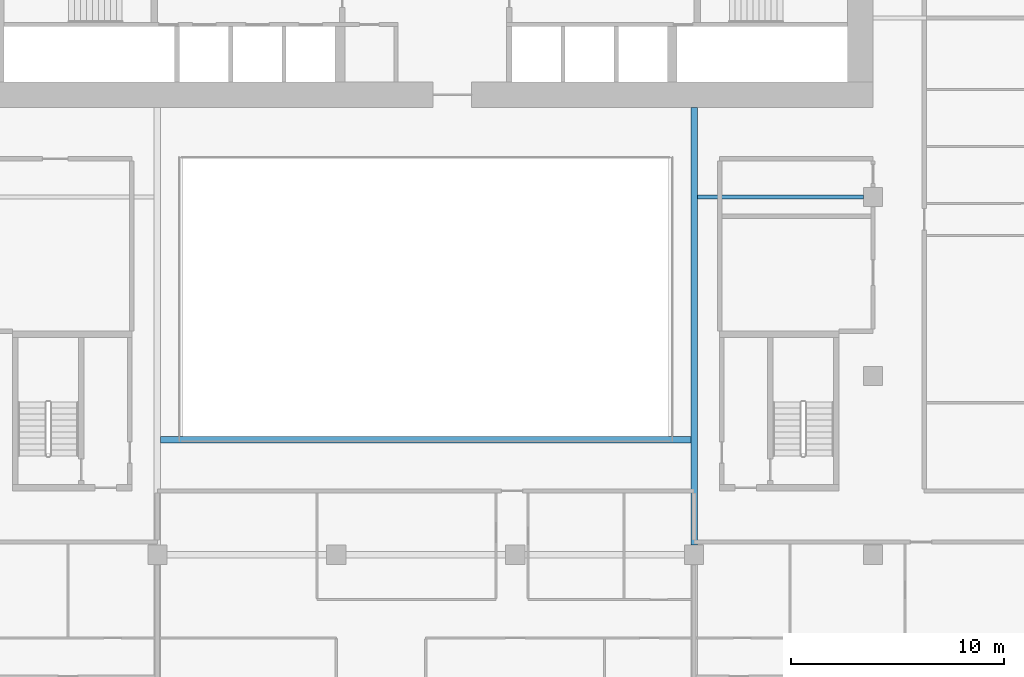
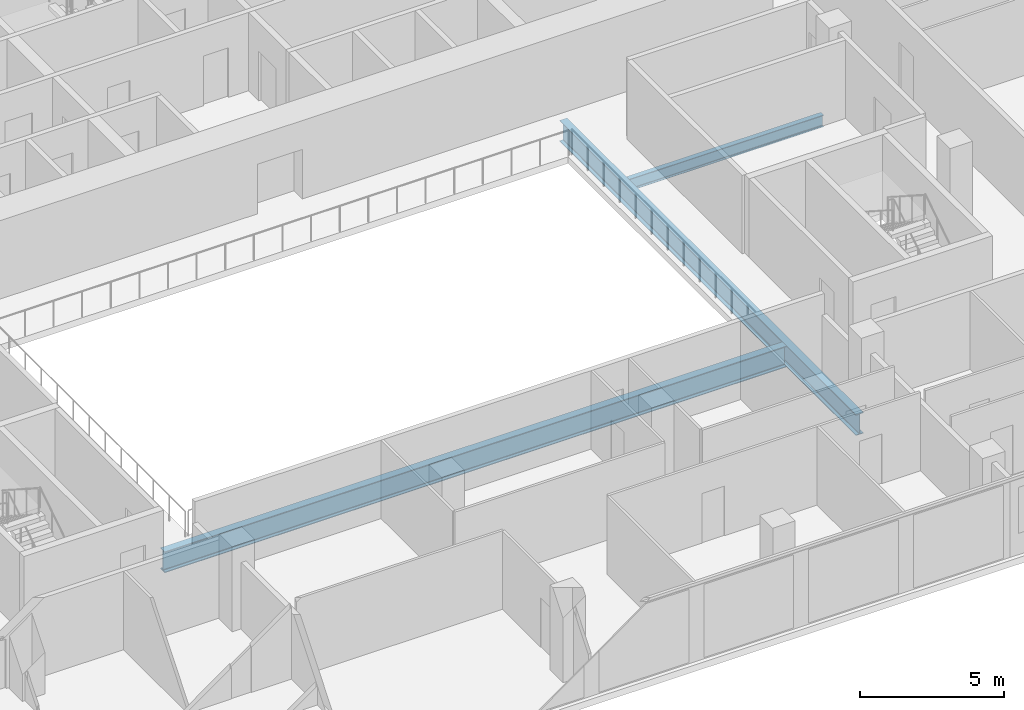
# One storey, part 7 of 29: 3 beams.
"""IFC4 building model written with IfcOpenShell, lengths in metres."""

from ifc_helpers import new_model, si_unit, direction, frame, origin, origin_2d, place, context, subcontext, project, spatial, i_section, extrude, material, material_profile, profile_set, type_object, element, save


model = new_model("IFC4")

# Units and contexts
model_context = context("Model", 3, precision=1e-05, world=origin(), true_north=direction((0.0, 1.0)))
body_context = subcontext(model_context, "Body", "Model", "MODEL_VIEW")
ifc_project = project(units=[si_unit("LENGTHUNIT", "METRE"), si_unit("AREAUNIT", "SQUARE_METRE"), si_unit("VOLUMEUNIT", "CUBIC_METRE"), si_unit("PLANEANGLEUNIT", "RADIAN"), si_unit("MASSUNIT", "GRAM", prefix="KILO")], contexts=[model_context])

# Site, building, storey
site_placement = place(None, origin())
site = spatial("IfcSite", under=ifc_project, at=site_placement, CompositionType="ELEMENT")
building_placement = place(site_placement, origin())
building = spatial("IfcBuilding", under=site, at=building_placement, Name="Saffron Gate Tower", CompositionType="ELEMENT")
storey_placement = place(building_placement, frame((0.0, 0.0, 55.199951171875)))
storey = spatial("IfcBuildingStorey", under=building, at=storey_placement, Name="L12", CompositionType="ELEMENT", Elevation=55.199951171875)

# Beams
ifc_material = material(Name="Structural steel S355", Category="steel")
ifc_material_profile_1 = material_profile(ifc_material, i_section(OverallWidth=0.199951171875, OverallDepth=0.5, WebThickness=0.01025390625, FlangeThickness=0.01611328125, FilletRadius=0.02099609375, at=origin_2d()))
ifc_profile_set_1 = profile_set([ifc_material_profile_1], Name="Structural steel S355")
beam_type_1 = type_object("IfcBeamType", Name="B10 IPE 500", PredefinedType="BEAM", material=ifc_profile_set_1)
beam_1_placement = place(storey_placement, frame((108.14990234375, 57.0, -0.530029296875), z_axis=(-1.0, 0.0, 0.0), x_axis=(0.0, -1.0, 0.0)))
element("IfcBeam", 1, at=beam_1_placement, inside=storey, type_object=beam_type_1, Name="B10 CORE TIE BEAM", PredefinedType="BEAM", context=body_context, shape_type="SweptSolid", body=[
    extrude(i_section(OverallWidth=0.199951171875, OverallDepth=0.5, WebThickness=0.01025390625, FlangeThickness=0.01611328125, FilletRadius=0.02099609375, at=origin_2d()), origin(), (0.0, 0.0, 1.0), 7.7998046875),
])
ifc_material_profile_2 = material_profile(ifc_material, i_section(OverallWidth=0.300048828125, OverallDepth=0.889892578125, WebThickness=0.01611328125, FlangeThickness=0.030029296875, FilletRadius=0.030029296875, at=origin_2d()))
ifc_profile_set_2 = profile_set([ifc_material_profile_2], Name="Structural steel S355")
beam_type_2 = type_object("IfcBeamType", Name="B19 HEA 900", PredefinedType="BEAM", material=ifc_profile_set_2)
beam_2_placement = place(storey_placement, frame((100.199951171875, 40.64990234375, -0.724853515625), z_axis=(0.0, 1.0, 0.0), x_axis=(-1.0, 0.0, 0.0)))
element("IfcBeam", 2, at=beam_2_placement, inside=storey, type_object=beam_type_2, Name="B19 ATRIUM GIRDER", PredefinedType="BEAM", context=body_context, shape_type="SweptSolid", body=[
    extrude(i_section(OverallWidth=0.300048828125, OverallDepth=0.889892578125, WebThickness=0.01611328125, FlangeThickness=0.030029296875, FilletRadius=0.030029296875, at=origin_2d()), origin(), (0.0, 0.0, 1.0), 20.550048828125),
])
beam_3_placement = place(storey_placement, frame((75.14990234375, 45.60009765625, -0.724853515625), z_axis=(1.0, 0.0, 0.0), x_axis=(0.0, 1.0, 0.0)))
element("IfcBeam", 3, at=beam_3_placement, inside=storey, type_object=beam_type_2, Name="B19 ATRIUM GIRDER", PredefinedType="BEAM", context=body_context, shape_type="SweptSolid", body=[
    extrude(i_section(OverallWidth=0.300048828125, OverallDepth=0.889892578125, WebThickness=0.01611328125, FlangeThickness=0.030029296875, FilletRadius=0.030029296875, at=origin_2d()), origin(), (0.0, 0.0, 1.0), 24.900146484375),
])

save(model, "model.ifc")
